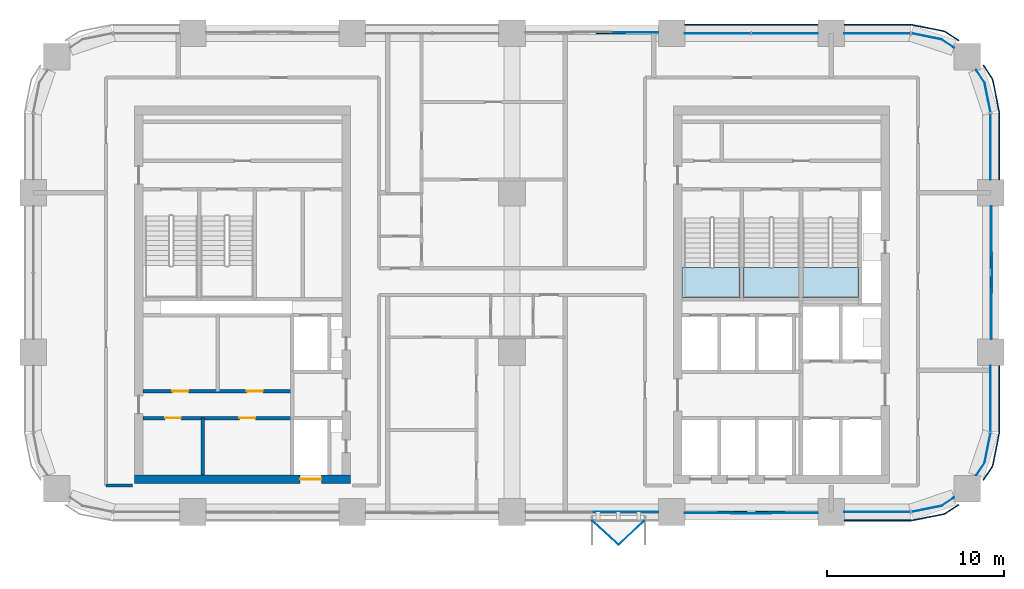
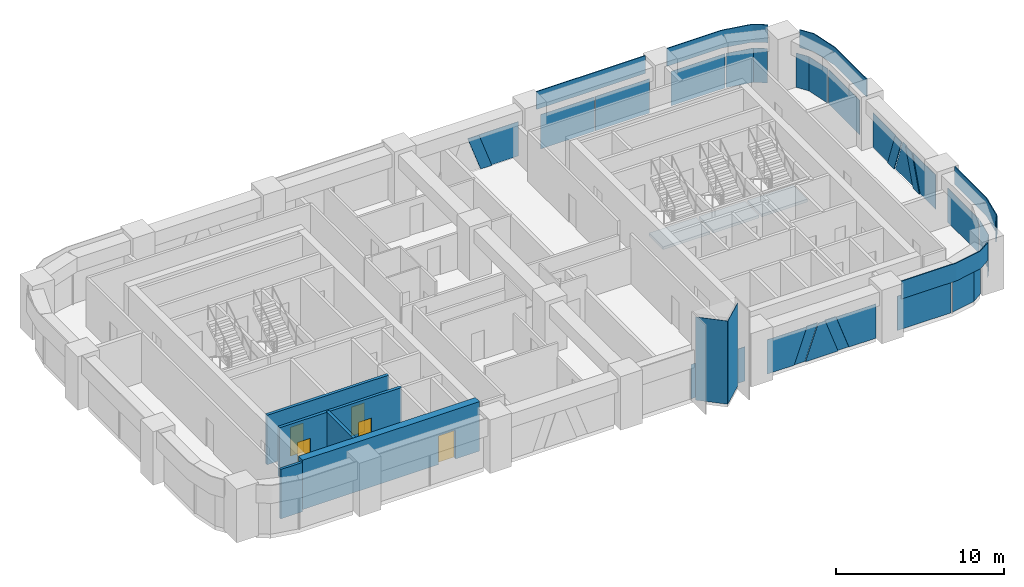
# One storey, part 8 of 14: 30 plates, 5 doors, 5 walls, 3 slabs, 5 openings, 12 elements without a shape of their own.
"""IFC4 building model written with IfcOpenShell, lengths in metres."""

from ifc_helpers import new_model, si_unit, direction, frame, frame_2d, origin, origin_2d, place, context, subcontext, project, spatial, polyline, rectangle, outline, extrude, material, layer, layer_set, type_object, element, fill, aggregate, save


model = new_model("IFC4")

# Units and contexts
model_context = context("Model", 3, precision=1e-05, world=origin(), true_north=direction((0.0, 1.0)))
body_context = subcontext(model_context, "Body", "Model", "MODEL_VIEW")
ifc_project = project(units=[si_unit("LENGTHUNIT", "METRE"), si_unit("AREAUNIT", "SQUARE_METRE"), si_unit("VOLUMEUNIT", "CUBIC_METRE"), si_unit("PLANEANGLEUNIT", "RADIAN"), si_unit("MASSUNIT", "GRAM", prefix="KILO")], contexts=[model_context])

# Site, building, storey
site_placement = place(None, origin())
site = spatial("IfcSite", under=ifc_project, at=site_placement, CompositionType="ELEMENT")
building_placement = place(site_placement, origin())
building = spatial("IfcBuilding", under=site, at=building_placement, Name="Tessera Arch", CompositionType="ELEMENT")
storey_placement = place(building_placement, frame((0.0, 0.0, 134.89990234375)))
storey = spatial("IfcBuildingStorey", under=building, at=storey_placement, Name="L31", CompositionType="ELEMENT", Elevation=134.89990234375)

# Curtain wall, plates
ifc_material_1 = material(Name="CW1 curtain wall")
curtain_wall_type_1 = type_object("IfcCurtainWallType", Name="CW1 curtain wall", PredefinedType="NOTDEFINED", material=ifc_material_1)
curtain_wall_1_placement = place(storey_placement, origin())
curtain_wall_1 = element("IfcCurtainWall", 1, at=curtain_wall_1_placement, inside=storey, type_object=curtain_wall_type_1, Name="CW1 curtain wall N54.0/1 L31", PredefinedType="NOTDEFINED")
ifc_material_2 = material(Name="Clear low-e glass", Category="glass")
ifc_material_3 = material(Name="Clear low-e glass", Category="glass")
ifc_layer_1 = layer(ifc_material_3, 0.028076171875)
ifc_layer_set_1 = layer_set([ifc_layer_1], Name="CW1 glass panel")
plate_type_1 = type_object("IfcPlateType", Name="CW1 glass panel", PredefinedType="CURTAIN_PANEL", material=ifc_layer_set_1)
plate_1_placement = place(storey_placement, frame((42.389892578125, 54.0, 0.0), z_axis=(0.0, 0.0, 1.0), x_axis=(-1.0, 0.0, 0.0)))
plate_1 = element("IfcPlate", 2, at=plate_1_placement, type_object=plate_type_1, material=ifc_material_2, Name="CW1 glass panel N54.0/1 1.1.1", PredefinedType="CURTAIN_PANEL", context=body_context, shape_type="SweptSolid", body=[
    extrude(rectangle(XDim=3.719970703125, YDim=0.028076171875, at=origin_2d()), origin(), (0.0, 0.0, 1.0), 2.5),
])
plate_2_placement = place(storey_placement, frame((38.610107421875, 54.0, 0.0), z_axis=(0.0, 0.0, 1.0), x_axis=(-1.0, 0.0, 0.0)))
plate_2 = element("IfcPlate", 3, at=plate_2_placement, type_object=plate_type_1, material=ifc_material_2, Name="CW1 glass panel N54.0/1 1.2.1", PredefinedType="CURTAIN_PANEL", context=body_context, shape_type="SweptSolid", body=[
    extrude(rectangle(XDim=3.719970703125, YDim=0.028076171875, at=origin_2d()), origin(), (0.0, 0.0, 1.0), 2.5),
])

# Curtain wall, plate
curtain_wall_2_placement = place(storey_placement, origin())
curtain_wall_2 = element("IfcCurtainWall", 4, at=curtain_wall_2_placement, inside=storey, type_object=curtain_wall_type_1, Name="CW1 curtain wall S27.0/3 L31", PredefinedType="NOTDEFINED")
plate_3_placement = place(storey_placement, frame((33.389892578125, 27.0, 0.0), z_axis=(0.0, 0.0, 1.0), x_axis=(1.0, 0.0, 0.0)))
plate_3 = element("IfcPlate", 5, at=plate_3_placement, type_object=plate_type_1, material=ifc_material_2, Name="CW1 glass panel S27.0/3 1.2.1", PredefinedType="CURTAIN_PANEL", context=body_context, shape_type="SweptSolid", body=[
    extrude(rectangle(XDim=3.719970703125, YDim=0.028076171875, at=origin_2d()), origin(), (0.0, 0.0, 1.0), 2.5),
])
aggregate(curtain_wall_2, [plate_3])

# Plate
ifc_material_4 = material(Name="Pale anodised aluminium panel", Category="aluminium")
ifc_layer_2 = layer(ifc_material_4, 0.06005859375)
ifc_layer_set_2 = layer_set([ifc_layer_2], Name="CW1 spandrel panel")
plate_type_2 = type_object("IfcPlateType", Name="CW1 spandrel panel", PredefinedType="CURTAIN_PANEL", material=ifc_layer_set_2)
plate_4_placement = place(storey_placement, frame((40.5, 54.47998046875, 2.60009765625), z_axis=(0.0, 0.0, 1.0), x_axis=(-1.0, 0.0, 0.0)))
plate_4 = element("IfcPlate", 6, at=plate_4_placement, type_object=plate_type_2, Name="CW1 spandrel panel N54.0/1", PredefinedType="CURTAIN_PANEL", context=body_context, shape_type="SweptSolid", body=[
    extrude(rectangle(XDim=7.5, YDim=0.06005859375, at=origin_2d()), origin(), (0.0, 0.0, 1.0), 1.300048828125),
])

aggregate(curtain_wall_1, [plate_1, plate_2, plate_4])

# Curtain wall, plates
ifc_material_5 = material(Name="CW2 curtain wall")
curtain_wall_type_2 = type_object("IfcCurtainWallType", Name="CW2 curtain wall", PredefinedType="NOTDEFINED", material=ifc_material_5)
curtain_wall_3_placement = place(storey_placement, origin())
curtain_wall_3 = element("IfcCurtainWall", 7, at=curtain_wall_3_placement, inside=storey, type_object=curtain_wall_type_2, Name="CW2 curtain wall E54.27/1 L31", PredefinedType="NOTDEFINED")
ifc_material_6 = material(Name="Clear low-e glass", Category="glass")
ifc_layer_3 = layer(ifc_material_6, 0.028076171875)
ifc_layer_set_3 = layer_set([ifc_layer_3], Name="CW2 glass panel")
plate_type_3 = type_object("IfcPlateType", Name="CW2 glass panel", PredefinedType="CURTAIN_PANEL", material=ifc_layer_set_3)
plate_5_placement = place(storey_placement, frame((54.0, 47.60498046875, 0.0), z_axis=(0.0, 0.0, 1.0), x_axis=(0.0, 1.0, 0.0)))
plate_5 = element("IfcPlate", 8, at=plate_5_placement, type_object=plate_type_3, material=ifc_material_2, Name="CW2 glass panel E54.27/1 1.1", PredefinedType="CURTAIN_PANEL", context=body_context, shape_type="SweptSolid", body=[
    extrude(rectangle(XDim=3.7099609375, YDim=0.028076171875, at=origin_2d()), origin(), (0.0, 0.0, 1.0), 2.5),
])
plate_6_placement = place(storey_placement, origin())
plate_6 = element("IfcPlate", 9, at=plate_6_placement, type_object=plate_type_3, material=ifc_material_2, Name="CW2 curved glass panel E54.27/1 2.1", PredefinedType="CURTAIN_PANEL", context=body_context, shape_type="SweptSolid", body=[
    extrude(outline(polyline([(53.644287109375, 51.216552734375), (53.978515625, 49.53662109375), (54.005859375, 49.5419921875), (53.670654296875, 51.2275390625), (53.19482421875, 51.939697265625), (53.17138671875, 51.92431640625), (53.644287109375, 51.216552734375)])), origin(), (0.0, 0.0, 1.0), 2.5),
])

curtain_wall_4_placement = place(storey_placement, origin())
curtain_wall_4 = element("IfcCurtainWall", 10, at=curtain_wall_4_placement, inside=storey, type_object=curtain_wall_type_2, Name="CW2 curtain wall N54.0/0 L31", PredefinedType="NOTDEFINED")
plate_7_placement = place(storey_placement, frame((47.60498046875, 54.0, 0.0), z_axis=(0.0, 0.0, 1.0), x_axis=(-1.0, 0.0, 0.0)))
plate_7 = element("IfcPlate", 11, at=plate_7_placement, type_object=plate_type_3, material=ifc_material_2, Name="CW2 glass panel N54.0/0 1.1", PredefinedType="CURTAIN_PANEL", context=body_context, shape_type="SweptSolid", body=[
    extrude(rectangle(XDim=3.7099609375, YDim=0.028076171875, at=origin_2d()), origin(), (0.0, 0.0, 1.0), 2.5),
])
plate_8_placement = place(storey_placement, origin())
plate_8 = element("IfcPlate", 12, at=plate_8_placement, type_object=plate_type_3, material=ifc_material_2, Name="CW2 curved glass panel N54.0/0 2.1", PredefinedType="CURTAIN_PANEL", context=body_context, shape_type="SweptSolid", body=[
    extrude(outline(polyline([(51.216552734375, 53.644287109375), (51.92431640625, 53.17138671875), (51.939697265625, 53.19482421875), (51.2275390625, 53.670654296875), (49.5419921875, 54.005859375), (49.53662109375, 53.978515625), (51.216552734375, 53.644287109375)])), origin(), (0.0, 0.0, 1.0), 2.5),
])

curtain_wall_5_placement = place(storey_placement, origin())
curtain_wall_5 = element("IfcCurtainWall", 13, at=curtain_wall_5_placement, inside=storey, type_object=curtain_wall_type_2, Name="CW2 curtain wall S27.0/5 L31", PredefinedType="NOTDEFINED")
plate_9_placement = place(storey_placement, frame((47.60498046875, 27.0, 0.0), z_axis=(0.0, 0.0, 1.0), x_axis=(1.0, 0.0, 0.0)))
plate_9 = element("IfcPlate", 14, at=plate_9_placement, type_object=plate_type_3, material=ifc_material_2, Name="CW2 glass panel S27.0/5 1.1", PredefinedType="CURTAIN_PANEL", context=body_context, shape_type="SweptSolid", body=[
    extrude(rectangle(XDim=3.7099609375, YDim=0.028076171875, at=origin_2d()), origin(), (0.0, 0.0, 1.0), 2.5),
])
plate_10_placement = place(storey_placement, origin())
plate_10 = element("IfcPlate", 15, at=plate_10_placement, type_object=plate_type_3, material=ifc_material_2, Name="CW2 curved glass panel S27.0/5 2.1", PredefinedType="CURTAIN_PANEL", context=body_context, shape_type="SweptSolid", body=[
    extrude(outline(polyline([(51.216552734375, 27.355712890625), (49.53662109375, 27.021484375), (49.5419921875, 26.994140625), (51.2275390625, 27.329345703125), (51.939697265625, 27.80517578125), (51.92431640625, 27.82861328125), (51.216552734375, 27.355712890625)])), origin(), (0.0, 0.0, 1.0), 2.5),
])

curtain_wall_6_placement = place(storey_placement, origin())
curtain_wall_6 = element("IfcCurtainWall", 16, at=curtain_wall_6_placement, inside=storey, type_object=curtain_wall_type_2, Name="CW2 curtain wall E54.27/2 L31", PredefinedType="NOTDEFINED")
plate_11_placement = place(storey_placement, frame((54.0, 33.39501953125, 0.0), z_axis=(0.0, 0.0, 1.0), x_axis=(0.0, 1.0, 0.0)))
plate_11 = element("IfcPlate", 17, at=plate_11_placement, type_object=plate_type_3, material=ifc_material_2, Name="CW2 glass panel E54.27/2 1.1", PredefinedType="CURTAIN_PANEL", context=body_context, shape_type="SweptSolid", body=[
    extrude(rectangle(XDim=3.7099609375, YDim=0.028076171875, at=origin_2d()), origin(), (0.0, 0.0, 1.0), 2.5),
])
plate_12_placement = place(storey_placement, origin())
plate_12 = element("IfcPlate", 18, at=plate_12_placement, type_object=plate_type_3, material=ifc_material_2, Name="CW2 curved glass panel E54.27/2 2.1", PredefinedType="CURTAIN_PANEL", context=body_context, shape_type="SweptSolid", body=[
    extrude(outline(polyline([(53.644287109375, 29.783447265625), (53.17138671875, 29.07568359375), (53.19482421875, 29.060302734375), (53.670654296875, 29.7724609375), (54.005859375, 31.4580078125), (53.978515625, 31.46337890625), (53.644287109375, 29.783447265625)])), origin(), (0.0, 0.0, 1.0), 2.5),
])

# Plate
ifc_material_7 = material(Name="Pale anodised aluminium panel", Category="aluminium")
ifc_layer_4 = layer(ifc_material_7, 0.06005859375)
ifc_layer_set_4 = layer_set([ifc_layer_4], Name="CW2 spandrel panel")
plate_type_4 = type_object("IfcPlateType", Name="CW2 spandrel panel", PredefinedType="CURTAIN_PANEL", material=ifc_layer_set_4)
plate_13_placement = place(storey_placement, frame((0.0, 0.0, 2.60009765625)))
plate_13 = element("IfcPlate", 19, at=plate_13_placement, type_object=plate_type_4, Name="CW2 spandrel panel E54.27/1", PredefinedType="CURTAIN_PANEL", context=body_context, shape_type="SweptSolid", body=[
    extrude(outline(polyline([(54.449951171875, 49.499267578125), (54.449951171875, 45.75), (54.510009765625, 45.75), (54.510009765625, 49.500732421875), (54.507568359375, 49.550048828125), (54.500244140625, 49.598876953125), (54.157470703125, 51.322265625), (54.1455078125, 51.3701171875), (54.128662109375, 51.417236328125), (54.107421875, 51.462646484375), (54.08203125, 51.5048828125), (53.607177734375, 52.21533203125), (53.55712890625, 52.18212890625), (54.03125, 51.47265625), (54.054443359375, 51.434326171875), (54.0732421875, 51.394287109375), (54.088134765625, 51.352783203125), (54.09912109375, 51.30908203125), (54.441162109375, 49.588623046875), (54.44775390625, 49.544189453125), (54.449951171875, 49.499267578125)])), origin(), (0.0, 0.0, 1.0), 1.300048828125),
])

aggregate(curtain_wall_3, [plate_5, plate_6, plate_13])

plate_14_placement = place(storey_placement, frame((0.0, 0.0, 2.60009765625)))
plate_14 = element("IfcPlate", 20, at=plate_14_placement, type_object=plate_type_4, Name="CW2 spandrel panel N54.0/0", PredefinedType="CURTAIN_PANEL", context=body_context, shape_type="SweptSolid", body=[
    extrude(outline(polyline([(51.47265625, 54.03125), (52.18212890625, 53.55712890625), (52.21533203125, 53.607177734375), (51.5048828125, 54.08203125), (51.462646484375, 54.107421875), (51.417236328125, 54.128662109375), (51.3701171875, 54.1455078125), (51.322265625, 54.157470703125), (49.598876953125, 54.500244140625), (49.550048828125, 54.507568359375), (49.500732421875, 54.510009765625), (45.75, 54.510009765625), (45.75, 54.449951171875), (49.499267578125, 54.449951171875), (49.544189453125, 54.44775390625), (49.588623046875, 54.441162109375), (51.30908203125, 54.09912109375), (51.352783203125, 54.088134765625), (51.394287109375, 54.0732421875), (51.434326171875, 54.054443359375), (51.47265625, 54.03125)])), origin(), (0.0, 0.0, 1.0), 1.300048828125),
])

aggregate(curtain_wall_4, [plate_7, plate_8, plate_14])

plate_15_placement = place(storey_placement, frame((0.0, 0.0, 2.60009765625)))
plate_15 = element("IfcPlate", 21, at=plate_15_placement, type_object=plate_type_4, Name="CW2 spandrel panel S27.0/5", PredefinedType="CURTAIN_PANEL", context=body_context, shape_type="SweptSolid", body=[
    extrude(outline(polyline([(49.499267578125, 26.550048828125), (45.75, 26.550048828125), (45.75, 26.489990234375), (49.500732421875, 26.489990234375), (49.550048828125, 26.492431640625), (49.598876953125, 26.499755859375), (51.322265625, 26.842529296875), (51.3701171875, 26.8544921875), (51.417236328125, 26.871337890625), (51.462646484375, 26.892578125), (51.5048828125, 26.91796875), (52.21533203125, 27.392822265625), (52.18212890625, 27.44287109375), (51.47265625, 26.96875), (51.434326171875, 26.945556640625), (51.394287109375, 26.9267578125), (51.352783203125, 26.911865234375), (51.30908203125, 26.90087890625), (49.588623046875, 26.558837890625), (49.544189453125, 26.55224609375), (49.499267578125, 26.550048828125)])), origin(), (0.0, 0.0, 1.0), 1.300048828125),
])

aggregate(curtain_wall_5, [plate_9, plate_10, plate_15])

plate_16_placement = place(storey_placement, frame((0.0, 0.0, 2.60009765625)))
plate_16 = element("IfcPlate", 22, at=plate_16_placement, type_object=plate_type_4, Name="CW2 spandrel panel E54.27/2", PredefinedType="CURTAIN_PANEL", context=body_context, shape_type="SweptSolid", body=[
    extrude(outline(polyline([(54.03125, 29.52734375), (53.55712890625, 28.81787109375), (53.607177734375, 28.78466796875), (54.08203125, 29.4951171875), (54.107421875, 29.537353515625), (54.128662109375, 29.582763671875), (54.1455078125, 29.6298828125), (54.157470703125, 29.677734375), (54.500244140625, 31.401123046875), (54.507568359375, 31.449951171875), (54.510009765625, 31.499267578125), (54.510009765625, 35.25), (54.449951171875, 35.25), (54.449951171875, 31.500732421875), (54.44775390625, 31.455810546875), (54.441162109375, 31.411376953125), (54.09912109375, 29.69091796875), (54.088134765625, 29.647216796875), (54.0732421875, 29.605712890625), (54.054443359375, 29.565673828125), (54.03125, 29.52734375)])), origin(), (0.0, 0.0, 1.0), 1.300048828125),
])

aggregate(curtain_wall_6, [plate_11, plate_12, plate_16])

# Curtain wall, plates
ifc_material_8 = material(Name="CW3 curtain wall")
curtain_wall_type_3 = type_object("IfcCurtainWallType", Name="CW3 curtain wall", PredefinedType="NOTDEFINED", material=ifc_material_8)
curtain_wall_7_placement = place(storey_placement, origin())
curtain_wall_7 = element("IfcCurtainWall", 23, at=curtain_wall_7_placement, inside=storey, type_object=curtain_wall_type_3, Name="CW3 curtain wall E54.27/0 L31", PredefinedType="NOTDEFINED")
ifc_material_9 = material(Name="Pale anodised aluminium panel", Category="aluminium")
ifc_layer_5 = layer(ifc_material_9, 0.06005859375)
ifc_layer_set_5 = layer_set([ifc_layer_5], Name="CW3 diagonal panel")
plate_type_5 = type_object("IfcPlateType", Name="CW3 diagonal panel", PredefinedType="CURTAIN_PANEL", material=ifc_layer_set_5)
plate_17_placement = place(storey_placement, frame((54.030029296875, 41.5048828125, 2.5), z_axis=(1.0, 0.0, 0.0), x_axis=(0.0, -1.0, 0.0)))
plate_17 = element("IfcPlate", 24, at=plate_17_placement, type_object=plate_type_5, Name="CW3 diagonal panel E54.27/0 1", PredefinedType="CURTAIN_PANEL", context=body_context, shape_type="SweptSolid", body=[
    extrude(outline(polyline([(0.0, 0.0), (0.765625, 0.0), (-0.123046875, 2.5), (-0.888671875, 2.5), (0.0, 0.0)])), origin(), (0.0, 0.0, -1.0), 0.06005859375),
])
plate_18_placement = place(storey_placement, frame((54.030029296875, 40.2607421875, 2.5), z_axis=(1.0, 0.0, 0.0), x_axis=(0.0, -1.0, 0.0)))
plate_18 = element("IfcPlate", 25, at=plate_18_placement, type_object=plate_type_5, Name="CW3 diagonal panel E54.27/0 2", PredefinedType="CURTAIN_PANEL", context=body_context, shape_type="SweptSolid", body=[
    extrude(outline(polyline([(0.0, 0.0), (0.765625, 0.0), (1.654296875, 2.5), (0.888671875, 2.5), (0.0, 0.0)])), origin(), (0.0, 0.0, -1.0), 0.06005859375),
])

# Curtain wall, plate
curtain_wall_8_placement = place(storey_placement, origin())
curtain_wall_8 = element("IfcCurtainWall", 26, at=curtain_wall_8_placement, inside=storey, type_object=curtain_wall_type_3, Name="CW3 curtain wall N54.0/2 L31", PredefinedType="NOTDEFINED")
plate_19_placement = place(storey_placement, frame((31.7392578125, 54.030029296875, 2.5), z_axis=(0.0, 1.0, 0.0), x_axis=(1.0, 0.0, 0.0)))
plate_19 = element("IfcPlate", 27, at=plate_19_placement, type_object=plate_type_5, Name="CW3 diagonal panel N54.0/2 2", PredefinedType="CURTAIN_PANEL", context=body_context, shape_type="SweptSolid", body=[
    extrude(outline(polyline([(0.0, 0.0), (0.765625, 0.0), (1.654296875, 2.5), (0.888671875, 2.5), (0.0, 0.0)])), origin(), (0.0, 0.0, -1.0), 0.06005859375),
])

# Curtain wall, plates
curtain_wall_9_placement = place(storey_placement, origin())
curtain_wall_9 = element("IfcCurtainWall", 28, at=curtain_wall_9_placement, inside=storey, type_object=curtain_wall_type_3, Name="CW3 curtain wall S27.0/4 L31", PredefinedType="NOTDEFINED")
plate_20_placement = place(storey_placement, frame((41.5048828125, 26.969970703125, 2.5), z_axis=(0.0, -1.0, 0.0), x_axis=(-1.0, 0.0, 0.0)))
plate_20 = element("IfcPlate", 29, at=plate_20_placement, type_object=plate_type_5, Name="CW3 diagonal panel S27.0/4 1", PredefinedType="CURTAIN_PANEL", context=body_context, shape_type="SweptSolid", body=[
    extrude(outline(polyline([(0.0, 0.0), (0.765625, 0.0), (-0.123046875, 2.5), (-0.888671875, 2.5), (0.0, 0.0)])), origin(), (0.0, 0.0, -1.0), 0.06005859375),
])
plate_21_placement = place(storey_placement, frame((40.2607421875, 26.969970703125, 2.5), z_axis=(0.0, -1.0, 0.0), x_axis=(-1.0, 0.0, 0.0)))
plate_21 = element("IfcPlate", 30, at=plate_21_placement, type_object=plate_type_5, Name="CW3 diagonal panel S27.0/4 2", PredefinedType="CURTAIN_PANEL", context=body_context, shape_type="SweptSolid", body=[
    extrude(outline(polyline([(0.0, 0.0), (0.765625, 0.0), (1.654296875, 2.5), (0.888671875, 2.5), (0.0, 0.0)])), origin(), (0.0, 0.0, -1.0), 0.06005859375),
])

# Plate
ifc_material_10 = material(Name="Clear low-e glass", Category="glass")
ifc_layer_6 = layer(ifc_material_10, 0.028076171875)
ifc_layer_set_6 = layer_set([ifc_layer_6], Name="CW3 glass panel")
plate_type_6 = type_object("IfcPlateType", Name="CW3 glass panel", PredefinedType="CURTAIN_PANEL", material=ifc_layer_set_6)
plate_22_placement = place(storey_placement, frame((54.05810546875, 36.75, 0.0), z_axis=(1.0, 0.0, 0.0), x_axis=(0.0, 1.0, 0.0)))
plate_22 = element("IfcPlate", 31, at=plate_22_placement, type_object=plate_type_6, material=ifc_material_2, Name="CW3 triangulated glass panel E54.27/0 1", PredefinedType="CURTAIN_PANEL", context=body_context, shape_type="SweptSolid", body=[
    extrude(outline(polyline([(0.0, 0.0), (1.8564453125, 0.0), (2.7451171875, 2.5), (0.0, 2.5), (0.0, 0.0)])), origin(), (0.0, 0.0, -1.0), 0.028076171875),
])

plate_23_placement = place(storey_placement, frame((54.0859375, 40.7392578125, 2.5), z_axis=(1.0, 0.0, 0.0), x_axis=(0.0, -1.0, 0.0)))
plate_23 = element("IfcPlate", 32, at=plate_23_placement, type_object=plate_type_6, material=ifc_material_2, Name="CW3 triangulated glass panel E54.27/0 2", PredefinedType="CURTAIN_PANEL", context=body_context, shape_type="SweptSolid", body=[
    extrude(outline(polyline([(0.0, 0.0), (0.478515625, 0.0), (1.3671875, 2.5), (-0.888671875, 2.5), (0.0, 0.0)])), origin(), (0.0, 0.0, -1.0), 0.028076171875),
])

plate_24_placement = place(storey_placement, frame((54.05810546875, 44.25, 2.5), z_axis=(1.0, 0.0, 0.0), x_axis=(0.0, -1.0, 0.0)))
plate_24 = element("IfcPlate", 33, at=plate_24_placement, type_object=plate_type_6, material=ifc_material_2, Name="CW3 triangulated glass panel E54.27/0 3", PredefinedType="CURTAIN_PANEL", context=body_context, shape_type="SweptSolid", body=[
    extrude(outline(polyline([(0.0, 0.0), (2.7451171875, 0.0), (1.8564453125, 2.5), (0.0, 2.5), (0.0, 0.0)])), origin(), (0.0, 0.0, -1.0), 0.028076171875),
])

aggregate(curtain_wall_7, [plate_22, plate_23, plate_24, plate_17, plate_18])

plate_25_placement = place(storey_placement, frame((35.25, 54.05810546875, 0.0), z_axis=(0.0, 1.0, 0.0), x_axis=(-1.0, 0.0, 0.0)))
plate_25 = element("IfcPlate", 34, at=plate_25_placement, type_object=plate_type_6, material=ifc_material_2, Name="CW3 triangulated glass panel N54.0/2 1", PredefinedType="CURTAIN_PANEL", context=body_context, shape_type="SweptSolid", body=[
    extrude(outline(polyline([(0.0, 0.0), (1.8564453125, 0.0), (2.7451171875, 2.5), (0.0, 2.5), (0.0, 0.0)])), origin(), (0.0, 0.0, -1.0), 0.028076171875),
])

aggregate(curtain_wall_8, [plate_25, plate_19])

plate_26_placement = place(storey_placement, frame((36.75, 26.94189453125, 0.0), z_axis=(0.0, -1.0, 0.0), x_axis=(1.0, 0.0, 0.0)))
plate_26 = element("IfcPlate", 35, at=plate_26_placement, type_object=plate_type_6, material=ifc_material_2, Name="CW3 triangulated glass panel S27.0/4 1", PredefinedType="CURTAIN_PANEL", context=body_context, shape_type="SweptSolid", body=[
    extrude(outline(polyline([(0.0, 0.0), (1.8564453125, 0.0), (2.7451171875, 2.5), (0.0, 2.5), (0.0, 0.0)])), origin(), (0.0, 0.0, -1.0), 0.028076171875),
])

plate_27_placement = place(storey_placement, frame((40.7392578125, 26.9140625, 2.5), z_axis=(0.0, -1.0, 0.0), x_axis=(-1.0, 0.0, 0.0)))
plate_27 = element("IfcPlate", 36, at=plate_27_placement, type_object=plate_type_6, material=ifc_material_2, Name="CW3 triangulated glass panel S27.0/4 2", PredefinedType="CURTAIN_PANEL", context=body_context, shape_type="SweptSolid", body=[
    extrude(outline(polyline([(0.0, 0.0), (0.478515625, 0.0), (1.3671875, 2.5), (-0.888671875, 2.5), (0.0, 0.0)])), origin(), (0.0, 0.0, -1.0), 0.028076171875),
])

plate_28_placement = place(storey_placement, frame((44.25, 26.94189453125, 2.5), z_axis=(0.0, -1.0, 0.0), x_axis=(-1.0, 0.0, 0.0)))
plate_28 = element("IfcPlate", 37, at=plate_28_placement, type_object=plate_type_6, material=ifc_material_2, Name="CW3 triangulated glass panel S27.0/4 3", PredefinedType="CURTAIN_PANEL", context=body_context, shape_type="SweptSolid", body=[
    extrude(outline(polyline([(0.0, 0.0), (2.7451171875, 0.0), (1.8564453125, 2.5), (0.0, 2.5), (0.0, 0.0)])), origin(), (0.0, 0.0, -1.0), 0.028076171875),
])

aggregate(curtain_wall_9, [plate_26, plate_27, plate_28, plate_20, plate_21])

# Stair, slab
ifc_material_11 = material(Name="Concrete C40/50", Category="concrete")
stair_type = type_object("IfcStairType", Name="Dogleg stair 1520", PredefinedType="HALF_TURN_STAIR", material=ifc_material_11)
stair_1_placement = place(storey_placement, origin())
stair_1 = element("IfcStair", 38, at=stair_1_placement, inside=storey, type_object=stair_type, Name="L31 S1a", PredefinedType="HALF_TURN_STAIR")
ifc_material_12 = material(Name="Concrete C40/50", Category="concrete")
ifc_layer_7 = layer(ifc_material_12, 0.300048828125)
ifc_layer_set_7 = layer_set([ifc_layer_7], Name="Stair landing 300")
slab_type = type_object("IfcSlabType", Name="Stair landing 300", PredefinedType="LANDING", material=ifc_layer_set_7)
slab_1_placement = place(storey_placement, frame((0.0, 0.0, 1.75)))
slab_1 = element("IfcSlab", 39, at=slab_1_placement, type_object=slab_type, Name="S1a landing 1", PredefinedType="LANDING", context=body_context, shape_type="SweptSolid", body=[
    extrude(outline(polyline([(36.60009765625, 40.780029296875), (36.60009765625, 39.10009765625), (39.85009765625, 39.10009765625), (39.85009765625, 40.780029296875), (36.60009765625, 40.780029296875)])), origin(), (0.0, 0.0, 1.0), 0.2001953125),
])
aggregate(stair_1, [slab_1])

stair_2_placement = place(storey_placement, origin())
stair_2 = element("IfcStair", 40, at=stair_2_placement, inside=storey, type_object=stair_type, Name="L31 S1b", PredefinedType="HALF_TURN_STAIR")
slab_2_placement = place(storey_placement, frame((0.0, 0.0, 1.75)))
slab_2 = element("IfcSlab", 41, at=slab_2_placement, type_object=slab_type, Name="S1b landing 1", PredefinedType="LANDING", context=body_context, shape_type="SweptSolid", body=[
    extrude(outline(polyline([(40.050048828125, 40.780029296875), (40.050048828125, 39.10009765625), (43.199951171875, 39.10009765625), (43.199951171875, 40.780029296875), (40.050048828125, 40.780029296875)])), origin(), (0.0, 0.0, 1.0), 0.2001953125),
])
aggregate(stair_2, [slab_2])

stair_3_placement = place(storey_placement, origin())
stair_3 = element("IfcStair", 42, at=stair_3_placement, inside=storey, type_object=stair_type, Name="L31 S1c", PredefinedType="HALF_TURN_STAIR")
slab_3_placement = place(storey_placement, frame((0.0, 0.0, 1.75)))
slab_3 = element("IfcSlab", 43, at=slab_3_placement, type_object=slab_type, Name="S1c landing 1", PredefinedType="LANDING", context=body_context, shape_type="SweptSolid", body=[
    extrude(outline(polyline([(43.39990234375, 40.780029296875), (43.39990234375, 39.10009765625), (46.550048828125, 39.10009765625), (46.550048828125, 40.780029296875), (43.39990234375, 40.780029296875)])), origin(), (0.0, 0.0, 1.0), 0.2001953125),
])
aggregate(stair_3, [slab_3])

# Plates
ifc_material_13 = material(Name="Clear low-e glass", Category="glass")
ifc_layer_8 = layer(ifc_material_13, 0.028076171875)
ifc_layer_set_8 = layer_set([ifc_layer_8], Name="Window box glass facet")
plate_type_7 = type_object("IfcPlateType", Name="Window box glass facet", PredefinedType="SHEET", material=ifc_layer_set_8)
for number, where, z_axis, x_axis, name in (
    (44, (32.27490234375, 25.820068359375, 0.219970703125), (0.0, 0.0, 1.0), (0.734414958885, -0.678700720617, 0.0), "Window box S27.0/3.1 1x2 glass"),
    (45, (33.72509765625, 25.820068359375, 0.219970703125), (0.0, 0.0, 1.0), (-0.734414958885, -0.678700720617, 0.0), "Window box S27.0/3.1 1x2 glass"),
):
    element("IfcPlate", number, at=place(storey_placement, frame(where, z_axis=z_axis, x_axis=x_axis)), inside=storey, type_object=plate_type_7, Name=name, PredefinedType="SHEET", context=body_context, shape_type="SweptSolid", body=[
        extrude(rectangle(XDim=1.974365234375, YDim=0.028076171875, at=origin_2d()), origin(), (0.0, 0.0, 1.0), 6.06005859375),
    ])

# Wall
ifc_material_14 = material(Name="Gypsum board on steel stud", Category="steel")
ifc_layer_9 = layer(ifc_material_14, 0.125)
ifc_layer_set_9 = layer_set([ifc_layer_9], Name="Core partition 125 EI 60")
wall_type_1 = type_object("IfcWallType", Name="Core partition 125 EI 60", PredefinedType="PARTITIONING", material=ifc_layer_set_9)
wall_1_placement = place(storey_placement, frame((9.56005859375, 29.10009765625, 0.0), z_axis=(0.0, 0.0, 1.0), x_axis=(0.0, 1.0, 0.0)))
element("IfcWall", 46, at=wall_1_placement, inside=storey, type_object=wall_type_1, Name="L31 C2 partition wall 3", PredefinedType="PARTITIONING", context=body_context, shape_type="SweptSolid", body=[
    extrude(rectangle(XDim=3.199951171875, YDim=0.199951171875, at=frame_2d((1.60009765625, 0.0))), origin(), (0.0, 0.0, 1.0), 3.60009765625),
])

# Wall, openings, doors
wall_2_placement = place(storey_placement, frame((6.199951171875, 32.300048828125, 0.0), z_axis=(0.0, 0.0, 1.0), x_axis=(1.0, 0.0, 0.0)))
wall_2 = element("IfcWall", 47, at=wall_2_placement, inside=storey, type_object=wall_type_1, Name="L31 C2 partition wall 13", PredefinedType="PARTITIONING", context=body_context, shape_type="SweptSolid", body=[
    extrude(rectangle(XDim=8.400146484375, YDim=0.199951171875, at=frame_2d((4.2001953125, 0.0))), origin(), (0.0, 0.0, 1.0), 3.60009765625),
])
opening_1_placement = place(wall_2_placement, frame((1.22998046875, 0.0, 0.0)))
opening_1 = element("IfcOpeningElement", 48, at=opening_1_placement, cuts=wall_2, Name="Opening L31-C32", PredefinedType="OPENING", context=body_context, shape_type="SweptSolid", body=[
    extrude(rectangle(XDim=0.89990234375, YDim=2.10009765625, at=frame_2d((0.449951171875, 1.050048828125))), frame((0.0, 0.10986328125, 0.0), z_axis=(0.0, -1.0, 0.0), x_axis=(1.0, 0.0, 0.0)), (0.0, 0.0, 1.0), 0.219970703125),
])
opening_2_placement = place(wall_2_placement, frame((5.429931640625, 0.0, 0.0)))
opening_2 = element("IfcOpeningElement", 49, at=opening_2_placement, cuts=wall_2, Name="Opening L31-C33", PredefinedType="OPENING", context=body_context, shape_type="SweptSolid", body=[
    extrude(rectangle(XDim=0.89990234375, YDim=2.10009765625, at=frame_2d((0.449951171875, 1.050048828125))), frame((0.0, 0.10986328125, 0.0), z_axis=(0.0, -1.0, 0.0), x_axis=(1.0, 0.0, 0.0)), (0.0, 0.0, 1.0), 0.219970703125),
])
ifc_material_15 = material(Name="Steel door leaf", Category="steel")
door_type_1 = type_object("IfcDoorType", Name="Store door FD30S 900 x 2100", OperationType="SINGLE_SWING_LEFT", PredefinedType="DOOR", material=ifc_material_15)
door_1_placement = place(opening_1_placement, origin())
door_1 = element("IfcDoor", 50, at=door_1_placement, inside=storey, type_object=door_type_1, Name="L31 C2 door 13 C32 type D09", OperationType="SINGLE_SWING_LEFT", OverallHeight=2.10009765625, OverallWidth=0.89990234375, PredefinedType="DOOR", context=body_context, shape_type="SweptSolid", body=[
    extrude(rectangle(XDim=0.89990234375, YDim=2.10009765625, at=frame_2d((0.449951171875, 1.050048828125))), frame((0.0, 0.02490234375, 0.0), z_axis=(0.0, -1.0, 0.0), x_axis=(1.0, 0.0, 0.0)), (0.0, 0.0, 1.0), 0.050048828125),
])
fill(opening_1, door_1)
door_2_placement = place(opening_2_placement, origin())
door_2 = element("IfcDoor", 51, at=door_2_placement, inside=storey, type_object=door_type_1, Name="L31 C2 door 14 C33 type D09", OperationType="SINGLE_SWING_RIGHT", OverallHeight=2.10009765625, OverallWidth=0.89990234375, PredefinedType="DOOR", context=body_context, shape_type="SweptSolid", body=[
    extrude(rectangle(XDim=0.89990234375, YDim=2.10009765625, at=frame_2d((0.449951171875, 1.050048828125))), frame((0.0, 0.02490234375, 0.0), z_axis=(0.0, -1.0, 0.0), x_axis=(1.0, 0.0, 0.0)), (0.0, 0.0, 1.0), 0.050048828125),
])
fill(opening_2, door_2)

wall_3_placement = place(storey_placement, frame((6.199951171875, 33.800048828125, 0.0), z_axis=(0.0, 0.0, 1.0), x_axis=(1.0, 0.0, 0.0)))
wall_3 = element("IfcWall", 52, at=wall_3_placement, inside=storey, type_object=wall_type_1, Name="L31 C2 partition wall 15", PredefinedType="PARTITIONING", context=body_context, shape_type="SweptSolid", body=[
    extrude(rectangle(XDim=8.400146484375, YDim=0.199951171875, at=frame_2d((4.2001953125, 0.0))), origin(), (0.0, 0.0, 1.0), 3.60009765625),
])
opening_3_placement = place(wall_3_placement, frame((1.64990234375, 0.0, 0.0)))
opening_3 = element("IfcOpeningElement", 53, at=opening_3_placement, cuts=wall_3, Name="Opening L31-C34", PredefinedType="OPENING", context=body_context, shape_type="SweptSolid", body=[
    extrude(rectangle(XDim=0.89990234375, YDim=2.10009765625, at=frame_2d((0.449951171875, 1.050048828125))), frame((0.0, 0.10986328125, 0.0), z_axis=(0.0, -1.0, 0.0), x_axis=(1.0, 0.0, 0.0)), (0.0, 0.0, 1.0), 0.219970703125),
])
opening_4_placement = place(wall_3_placement, frame((5.85009765625, 0.0, 0.0)))
opening_4 = element("IfcOpeningElement", 54, at=opening_4_placement, cuts=wall_3, Name="Opening L31-C35", PredefinedType="OPENING", context=body_context, shape_type="SweptSolid", body=[
    extrude(rectangle(XDim=0.89990234375, YDim=2.10009765625, at=frame_2d((0.449951171875, 1.050048828125))), frame((0.0, 0.10986328125, 0.0), z_axis=(0.0, -1.0, 0.0), x_axis=(1.0, 0.0, 0.0)), (0.0, 0.0, 1.0), 0.219970703125),
])
door_3_placement = place(opening_3_placement, origin())
door_3 = element("IfcDoor", 55, at=door_3_placement, inside=storey, type_object=door_type_1, Name="L31 C2 door 15 C34 type D09", OperationType="SINGLE_SWING_LEFT", OverallHeight=2.10009765625, OverallWidth=0.89990234375, PredefinedType="DOOR", context=body_context, shape_type="SweptSolid", body=[
    extrude(rectangle(XDim=0.89990234375, YDim=2.10009765625, at=frame_2d((0.449951171875, 1.050048828125))), frame((0.0, 0.02490234375, 0.0), z_axis=(0.0, -1.0, 0.0), x_axis=(1.0, 0.0, 0.0)), (0.0, 0.0, 1.0), 0.050048828125),
])
fill(opening_3, door_3)
door_4_placement = place(opening_4_placement, origin())
door_4 = element("IfcDoor", 56, at=door_4_placement, inside=storey, type_object=door_type_1, Name="L31 C2 door 16 C35 type D09", OperationType="SINGLE_SWING_RIGHT", OverallHeight=2.10009765625, OverallWidth=0.89990234375, PredefinedType="DOOR", context=body_context, shape_type="SweptSolid", body=[
    extrude(rectangle(XDim=0.89990234375, YDim=2.10009765625, at=frame_2d((0.449951171875, 1.050048828125))), frame((0.0, 0.02490234375, 0.0), z_axis=(0.0, -1.0, 0.0), x_axis=(1.0, 0.0, 0.0)), (0.0, 0.0, 1.0), 0.050048828125),
])
fill(opening_4, door_4)

# Wall, opening, door
ifc_material_16 = material(Name="Concrete C60/75", Category="concrete")
ifc_layer_10 = layer(ifc_material_16, 0.5)
ifc_layer_set_10 = layer_set([ifc_layer_10], Name="Core shell wall 500 C60-75")
wall_type_2 = type_object("IfcWallType", Name="Core shell wall 500 C60-75", PredefinedType="SHEAR", material=ifc_layer_set_10)
wall_4_placement = place(storey_placement, frame((5.699951171875, 28.85009765625, 0.0), z_axis=(0.0, 0.0, 1.0), x_axis=(1.0, 0.0, 0.0)))
wall_4 = element("IfcWall", 57, at=wall_4_placement, inside=storey, type_object=wall_type_2, Name="L31 C2 core wall S", PredefinedType="SHEAR", context=body_context, shape_type="SweptSolid", body=[
    extrude(rectangle(XDim=12.199951171875, YDim=0.5, at=frame_2d((6.10009765625, 0.0))), origin(), (0.0, 0.0, 1.0), 3.60009765625),
])
opening_5_placement = place(wall_4_placement, frame((9.35009765625, 0.0, 0.0)))
opening_5 = element("IfcOpeningElement", 58, at=opening_5_placement, cuts=wall_4, Name="Opening L31-C20", PredefinedType="OPENING", context=body_context, shape_type="SweptSolid", body=[
    extrude(rectangle(XDim=1.199951171875, YDim=2.10009765625, at=frame_2d((0.60009765625, 1.050048828125))), frame((0.0, 0.260009765625, 0.0), z_axis=(0.0, -1.0, 0.0), x_axis=(1.0, 0.0, 0.0)), (0.0, 0.0, 1.0), 0.52001953125),
])
ifc_material_17 = material(Name="Stainless steel AISI 304", Category="steel")
door_type_2 = type_object("IfcDoorType", Name="Sliding landing door 1200 x 2100", OperationType="SLIDING_TO_LEFT", PredefinedType="DOOR", material=ifc_material_17)
door_5_placement = place(opening_5_placement, origin())
door_5 = element("IfcDoor", 59, at=door_5_placement, inside=storey, type_object=door_type_2, Name="L31 HR7 lift landing door C20 type LD", OperationType="SLIDING_TO_LEFT", OverallHeight=2.10009765625, OverallWidth=1.199951171875, PredefinedType="DOOR", context=body_context, shape_type="SweptSolid", body=[
    extrude(rectangle(XDim=1.199951171875, YDim=2.10009765625, at=frame_2d((0.60009765625, 1.050048828125))), frame((0.0, 0.02490234375, 0.0), z_axis=(0.0, -1.0, 0.0), x_axis=(1.0, 0.0, 0.0)), (0.0, 0.0, 1.0), 0.050048828125),
])
fill(opening_5, door_5)

# Wall
ifc_material_18 = material(Name="Gypsum board on deep steel stud with mineral wool", Category="steel")
ifc_layer_11 = layer(ifc_material_18, 0.175048828125)
ifc_layer_set_11 = layer_set([ifc_layer_11], Name="Corridor wall 175 EI 60")
wall_type_3 = type_object("IfcWallType", Name="Corridor wall 175 EI 60", PredefinedType="PARTITIONING", material=ifc_layer_set_11)
wall_5_placement = place(storey_placement, frame((4.10009765625, 28.5, 0.0), z_axis=(0.0, 0.0, 1.0), x_axis=(1.0, 0.0, 0.0)))
element("IfcWall", 60, at=wall_5_placement, inside=storey, type_object=wall_type_3, Name="L31 partition 1", PredefinedType="PARTITIONING", context=body_context, shape_type="SweptSolid", body=[
    extrude(rectangle(XDim=1.5, YDim=0.175048828125, at=frame_2d((0.75, 0.0))), origin(), (0.0, 0.0, 1.0), 3.60009765625),
])

save(model, "model.ifc")
